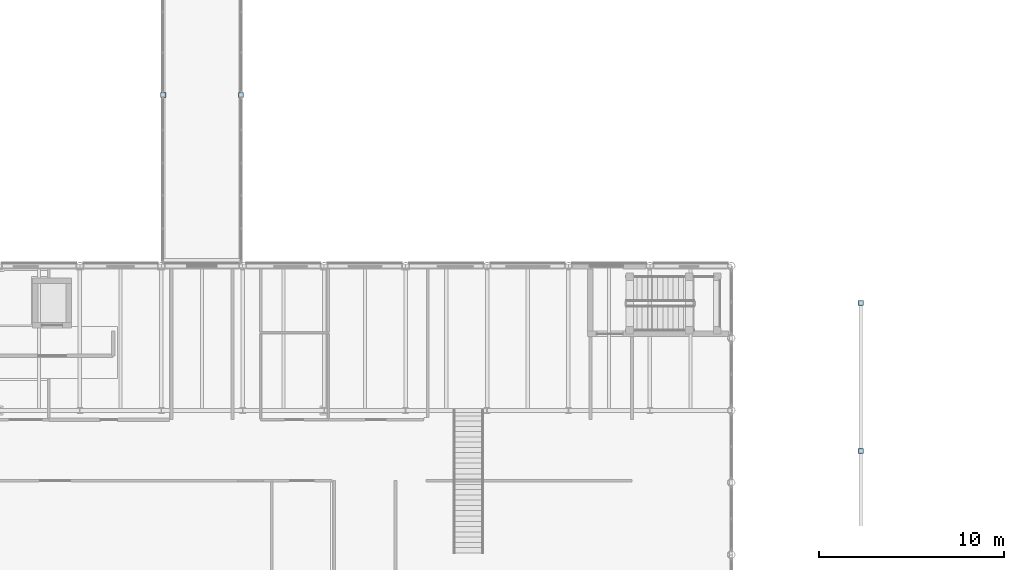
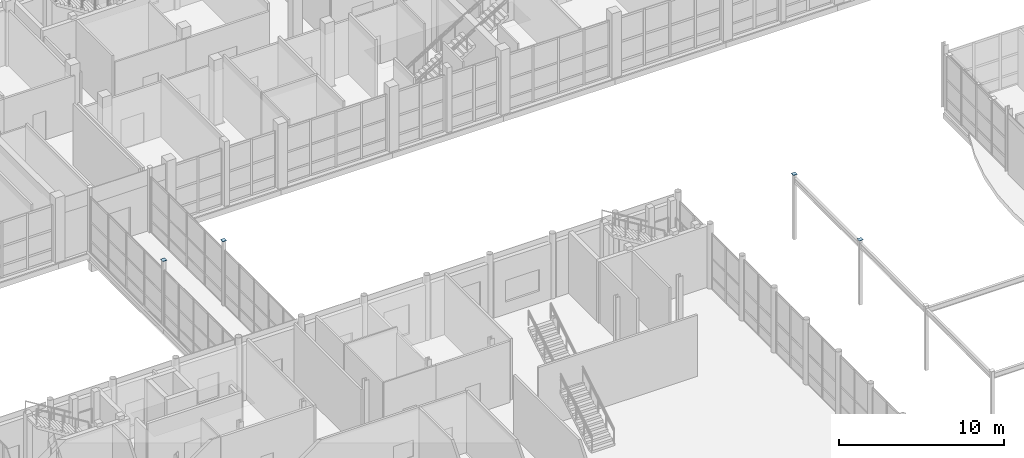
# One storey, part 87 of 131: 4 plates.
"""IFC4 building model written with IfcOpenShell, lengths in metres."""

import ifcopenshell
import ifcopenshell.guid

model = None  # the IFC model being written
_history = None  # IfcOwnerHistory: only IFC2X3 demands one
_inside = {}  # id of a spatial element -> (the spatial element, [elements in it])
_under = {}  # id of a project, library or spatial element -> (it, [spatial elements below it])
_declared = {}  # id of a project -> (the project, [libraries it declares])
_typed = {}  # id of a type object -> (the type object, [elements of that type])
_made_of = {}  # id of a material, layer set ... -> (it, [elements and type objects made of it])


def new_model(schema):
    """Start an empty IFC model of exactly this schema.

    Asked for "IFC4X3", IfcOpenShell would pick the latest addendum, in which some entities
    have other attributes; the version numbers below select the first issue.
    IFC2X3 requires an IfcOwnerHistory on every rooted entity: one is made here for all.
    """
    global model, _history
    if schema == "IFC4X3":
        model = ifcopenshell.file(schema_version=(4, 3, 0, 0))
    else:
        model = ifcopenshell.file(schema=schema)
    _inside.clear()
    _under.clear()
    _declared.clear()
    _typed.clear()
    _made_of.clear()
    _history = None
    if model.schema == "IFC2X3":
        org = make("IfcOrganization", Name="unknown")
        user = make(
            "IfcPersonAndOrganization",
            ThePerson=make("IfcPerson", FamilyName="unknown"),
            TheOrganization=org,
        )
        app = make(
            "IfcApplication",
            ApplicationDeveloper=org,
            Version="unknown",
            ApplicationFullName="unknown",
            ApplicationIdentifier="unknown",
        )
        _history = make(
            "IfcOwnerHistory",
            OwningUser=user,
            OwningApplication=app,
            ChangeAction="ADDED",
            CreationDate=0,
        )
    return model


def make(cls, **values):
    """One entity of the class cls with the attributes given. An attribute that is None is left unset."""
    return model.create_entity(
        cls, **{name: value for name, value in values.items() if value is not None}
    )


def rooted(cls, **values):
    """An entity with a GlobalId (a new one), such as an element, a storey or a relation."""
    return make(cls, GlobalId=ifcopenshell.guid.new(), OwnerHistory=_history, **values)


def si_unit(unit_type, name, prefix=None):
    """IfcSIUnit, for example si_unit("LENGTHUNIT", "METRE", prefix="MILLI")."""
    return make("IfcSIUnit", UnitType=unit_type, Prefix=prefix, Name=name)


def assignment(units):
    """IfcUnitAssignment: the units of a project."""
    return None if units is None else make("IfcUnitAssignment", Units=units)


def point(xyz):
    """IfcCartesianPoint."""
    return None if xyz is None else make("IfcCartesianPoint", Coordinates=xyz)


def direction(xyz):
    """IfcDirection."""
    return None if xyz is None else make("IfcDirection", DirectionRatios=xyz)


def frame(location, z_axis=None, x_axis=None):
    """IfcAxis2Placement3D, a coordinate frame: its origin and axes. An axis left out is left unset."""
    return make(
        "IfcAxis2Placement3D",
        Location=point(location),
        Axis=direction(z_axis),
        RefDirection=direction(x_axis),
    )


def frame_2d(location, x_axis=None):
    """IfcAxis2Placement2D, a coordinate frame in the plane: its origin and x axis."""
    return make(
        "IfcAxis2Placement2D", Location=point(location), RefDirection=direction(x_axis)
    )


def origin():
    """The frame at (0, 0, 0) with its axes left unset."""
    return frame((0.0, 0.0, 0.0))


def origin_2d():
    """The frame at (0, 0) in the plane with its x axis left unset."""
    return frame_2d((0.0, 0.0))


def place(relative_to, where):
    """IfcLocalPlacement: puts the frame where relative to a parent placement (None: the world)."""
    return make(
        "IfcLocalPlacement", PlacementRelTo=relative_to, RelativePlacement=where
    )


def context(
    kind, dimensions, precision=None, world=None, true_north=None, identifier=None
):
    """IfcGeometricRepresentationContext, for example the 3D "Model" context."""
    return make(
        "IfcGeometricRepresentationContext",
        ContextIdentifier=identifier,
        ContextType=kind,
        CoordinateSpaceDimension=dimensions,
        Precision=precision,
        WorldCoordinateSystem=world,
        TrueNorth=true_north,
    )


def subcontext(parent, identifier, kind, view, scale=None):
    """IfcGeometricRepresentationSubContext, for example "Body" below "Model"."""
    return make(
        "IfcGeometricRepresentationSubContext",
        ContextIdentifier=identifier,
        ContextType=kind,
        ParentContext=parent,
        TargetScale=scale,
        TargetView=view,
    )


def project(units=None, contexts=None):
    """IfcProject with its units and contexts."""
    return rooted(
        "IfcProject",
        Name="project",
        RepresentationContexts=contexts,
        UnitsInContext=assignment(units),
    )


def spatial(cls, under=None, at=None, **own):
    """A site, building, storey or space (cls), placed at a placement, below another one or the project."""
    s = rooted(cls, ObjectPlacement=at, **own)
    if under is not None:
        _under.setdefault(under.id(), (under, []))[1].append(s)
    return s


def profile(cls, at=None, kind="AREA", **sizes):
    """A parametric profile (cls). Its sizes go by their IFC names, for example OverallWidth=200.0."""
    return make(cls, ProfileType=kind, Position=at, **sizes)


def rectangle(**sizes):
    """IfcRectangleProfileDef."""
    return profile("IfcRectangleProfileDef", **sizes)


def extrude(swept, where, along, depth):
    """IfcExtrudedAreaSolid: the profile swept, set in the frame where, extruded along a direction by depth."""
    return make(
        "IfcExtrudedAreaSolid",
        SweptArea=swept,
        Position=where,
        ExtrudedDirection=direction(along),
        Depth=depth,
    )


def shape(context_of_items, identifier, shape_type, items):
    """IfcShapeRepresentation: the items that make up one representation, for example the "Body"."""
    return make(
        "IfcShapeRepresentation",
        ContextOfItems=context_of_items,
        RepresentationIdentifier=identifier,
        RepresentationType=shape_type,
        Items=items,
    )


def material(Name=None, Category=None):
    """IfcMaterial."""
    return make("IfcMaterial", Name=Name, Category=Category)


def layer(
    of_material, thickness, ventilated=None, Name=None, Category=None, Priority=None
):
    """IfcMaterialLayer: one layer of a wall or slab, of a material (None: an air gap)."""
    return make(
        "IfcMaterialLayer",
        Material=of_material,
        LayerThickness=thickness,
        IsVentilated=ventilated,
        Name=Name,
        Category=Category,
        Priority=Priority,
    )


def layer_set(layers, Name=None):
    """IfcMaterialLayerSet."""
    return make("IfcMaterialLayerSet", MaterialLayers=layers, LayerSetName=Name)


def made_of(thing, what):
    """Note that an element or type object is made of a material, layer set ...; save() writes the relation."""
    if what is not None:
        _made_of.setdefault(what.id(), (what, []))[1].append(thing)
    return thing


def type_object(cls, material=None, **own):
    """A type object (cls), such as IfcWallType, which elements share."""
    return made_of(rooted(cls, **own), material)


def element(
    cls,
    number,
    at=None,
    inside=None,
    cuts=None,
    type_object=None,
    material=None,
    context=None,
    identifier="Body",
    shape_type=None,
    held_by="IfcProductDefinitionShape",
    body=None,
    shapes=None,
    **own,
):
    """One element of the class cls, such as IfcWall. Its Tag is "e" and its number.

    at: its placement. inside: the storey or other place that contains it. cuts: it is an
    opening in that element (IfcRelVoidsElement). A single representation is given by context,
    identifier, shape_type and body (its items); several are given by shapes. held_by: the class
    of the entity that holds the representations. save() writes the other relations.
    """
    e = rooted(cls, Tag="e%d" % number, ObjectPlacement=at, **own)
    if body is not None:
        shapes = [shape(context, identifier, shape_type, body)]
    if shapes is not None:
        e.Representation = make(held_by, Representations=shapes)
    if inside is not None:
        _inside.setdefault(inside.id(), (inside, []))[1].append(e)
    if cuts is not None:
        rooted(
            "IfcRelVoidsElement", RelatingBuildingElement=cuts, RelatedOpeningElement=e
        )
    if type_object is not None:
        _typed.setdefault(type_object.id(), (type_object, []))[1].append(e)
    return made_of(e, material)


def aggregate(whole, parts):
    """IfcRelAggregates: a whole, such as a stair, and the parts it consists of."""
    return rooted("IfcRelAggregates", RelatingObject=whole, RelatedObjects=parts)


def save(model, path):
    """Write the relations noted so far, then the file.

    IfcRelAggregates (storeys below a building ...), IfcRelContainedInSpatialStructure (elements
    in a storey), IfcRelDefinesByType, IfcRelAssociatesMaterial and IfcRelDeclares: one each for
    every whole, place, type object, material and project.
    """
    for whole, parts in _under.values():
        aggregate(whole, parts)
    for where, things in _inside.values():
        rooted(
            "IfcRelContainedInSpatialStructure",
            RelatedElements=things,
            RelatingStructure=where,
        )
    for kind, things in _typed.values():
        rooted("IfcRelDefinesByType", RelatedObjects=things, RelatingType=kind)
    for what, things in _made_of.values():
        rooted("IfcRelAssociatesMaterial", RelatedObjects=things, RelatingMaterial=what)
    for by, libraries in _declared.values():
        rooted("IfcRelDeclares", RelatingContext=by, RelatedDefinitions=libraries)
    model.write(path)


model = new_model("IFC4")

# Units and contexts
model_context = context("Model", 3, precision=1e-05, world=origin(), true_north=direction((0.0, 1.0)))
body_context = subcontext(model_context, "Body", "Model", "MODEL_VIEW")
ifc_project = project(units=[si_unit("LENGTHUNIT", "METRE"), si_unit("AREAUNIT", "SQUARE_METRE"), si_unit("VOLUMEUNIT", "CUBIC_METRE"), si_unit("PLANEANGLEUNIT", "RADIAN"), si_unit("MASSUNIT", "GRAM", prefix="KILO")], contexts=[model_context])

# Site, building, storey
site_placement = place(None, origin())
site = spatial("IfcSite", under=ifc_project, at=site_placement, CompositionType="ELEMENT")
building_placement = place(site_placement, origin())
building = spatial("IfcBuilding", under=site, at=building_placement, Name="Celorna Specialist Clinic", CompositionType="ELEMENT")
storey_placement = place(building_placement, origin())
storey = spatial("IfcBuildingStorey", under=building, at=storey_placement, Name="L00", CompositionType="ELEMENT", Elevation=0.0)

# Plates
ifc_material = material(Name="Steel S355", Category="steel")
ifc_layer = layer(ifc_material, 0.013916015625, Name="Steel S355")
ifc_layer_set = layer_set([ifc_layer], Name="Steel S355")
plate_type = type_object("IfcPlateType", Name="EP-05", PredefinedType="SHEET", material=ifc_layer_set)
for number, where, z_axis, x_axis, name in (
    (1, (72.300048828125, 87.25, 4.800048828125), (0.0, 0.0, 1.0), (1.0, 0.0, 0.0), "Hollow column cap plate COL-L00-CT-15-7230-8725"),
    (2, (76.5, 87.25, 4.800048828125), (0.0, 0.0, 1.0), (1.0, 0.0, 0.0), "Hollow column cap plate COL-L00-CT-15-7650-8725"),
    (3, (110.0, 68.0, 4.800048828125), (0.0, 0.0, 1.0), (1.0, 0.0, 0.0), "Garden column cap plate #3"),
    (4, (110.0, 76.0, 4.800048828125), (0.0, 0.0, 1.0), (1.0, 0.0, 0.0), "Garden column cap plate #4"),
):
    element("IfcPlate", number, at=place(storey_placement, frame(where, z_axis=z_axis, x_axis=x_axis)), inside=storey, type_object=plate_type, Name=name, PredefinedType="SHEET", context=body_context, shape_type="SweptSolid", body=[
        extrude(rectangle(XDim=0.280029296875, YDim=0.280029296875, at=origin_2d()), origin(), (0.0, 0.0, 1.0), 0.01611328125),
    ])

save(model, "model.ifc")
